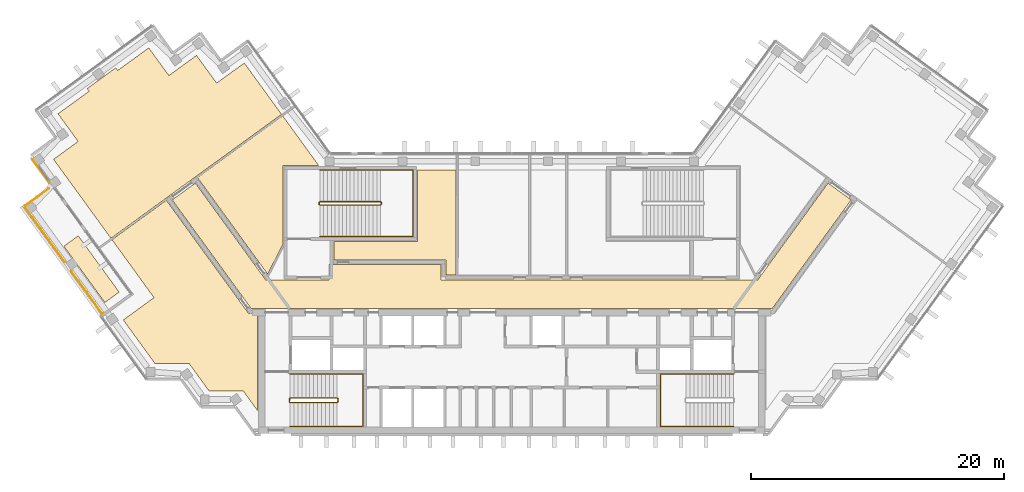
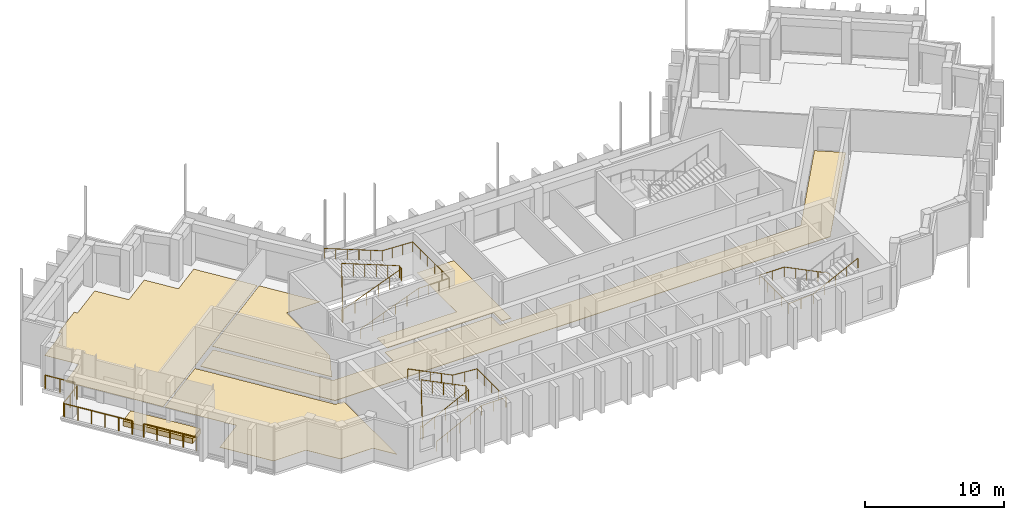
# One storey, part 13 of 14: 9 railings, 6 coverings.
"""IFC4 building model written with IfcOpenShell, lengths in metres."""

from ifc_helpers import new_model, si_unit, direction, frame, origin, origin_2d, place, context, subcontext, project, spatial, polyline, circle, outline, extrude, material, layer, layer_set, type_object, element, save


model = new_model("IFC4")

# Units and contexts
model_context = context("Model", 3, precision=1e-05, world=origin(), true_north=direction((0.0, 1.0)))
body_context = subcontext(model_context, "Body", "Model", "MODEL_VIEW")
ifc_project = project(units=[si_unit("LENGTHUNIT", "METRE"), si_unit("AREAUNIT", "SQUARE_METRE"), si_unit("VOLUMEUNIT", "CUBIC_METRE"), si_unit("PLANEANGLEUNIT", "RADIAN"), si_unit("MASSUNIT", "GRAM", prefix="KILO")], contexts=[model_context])

# Site, building, storey
site_placement = place(None, origin())
site = spatial("IfcSite", under=ifc_project, at=site_placement, CompositionType="ELEMENT")
building_placement = place(site_placement, origin())
building = spatial("IfcBuilding", under=site, at=building_placement, Name="Quipu Civic Tower", CompositionType="ELEMENT")
storey_placement = place(building_placement, frame((0.0, 0.0, 257.0)))
storey = spatial("IfcBuildingStorey", under=building, at=storey_placement, Name="L60", CompositionType="ELEMENT", Elevation=257.0)

# Coverings
ifc_material_1 = material(Name="Carpet tile on raised access floor")
ifc_layer_1 = layer(ifc_material_1, 0.02001953125)
ifc_layer_set_1 = layer_set([ifc_layer_1], Name="Carpet tile on raised access floor")
covering_type_1 = type_object("IfcCoveringType", Name="Carpet tile floor finish 20", PredefinedType="FLOORING", material=ifc_layer_set_1)
covering_1_placement = place(storey_placement, origin())
element("IfcCovering", 1, at=covering_1_placement, inside=storey, type_object=covering_type_1, Name="Carpet tile floor finish 20", PredefinedType="FLOORING", context=body_context, shape_type="SweptSolid", body=[
    extrude(outline(polyline([(-24.81201171875, 9.2109375), (-18.089111328125, 14.093994140625), (-15.238037109375, 10.169921875), (-18.070068359375, 10.1689453125), (-18.070068359375, 3.94189453125), (-19.27197265625, 1.583984375), (-24.81201171875, 9.2109375)])), origin(), (0.0, 0.0, 1.0), 0.02001953125),
])
covering_2_placement = place(storey_placement, origin())
element("IfcCovering", 2, at=covering_2_placement, inside=storey, type_object=covering_type_1, Name="Carpet tile floor finish 20", PredefinedType="FLOORING", context=body_context, shape_type="SweptSolid", body=[
    extrude(outline(polyline([(-36.181884765625, 10.653076171875), (-34.240966796875, 12.06396484375), (-35.826904296875, 14.248046875), (-33.3701171875, 16.032958984375), (-33.52197265625, 16.2451171875), (-31.27099609375, 17.8798828125), (-31.116943359375, 17.6708984375), (-28.658935546875, 19.455078125), (-27.073974609375, 17.27197265625), (-24.887939453125, 18.85791015625), (-23.301025390625, 16.675048828125), (-21.116943359375, 18.260986328125), (-18.172119140625, 14.20703125), (-31.65087890625, 4.416015625), (-36.181884765625, 10.653076171875)])), origin(), (0.0, 0.0, 1.0), 0.02001953125),
])
covering_3_placement = place(storey_placement, origin())
element("IfcCovering", 3, at=covering_3_placement, inside=storey, type_object=covering_type_1, Name="Carpet tile floor finish 20", PredefinedType="FLOORING", context=body_context, shape_type="SweptSolid", body=[
    extrude(outline(polyline([(-14.030029296875, 2.719970703125), (-14.030029296875, 4.179931640625), (-7.430908203125, 4.179931640625), (-7.429931640625, 9.830078125), (-4.388916015625, 9.830078125), (-4.388916015625, 1.52001953125), (-5.179931640625, 1.52001953125), (-5.181884765625, 2.719970703125), (-14.030029296875, 2.719970703125)])), origin(), (0.0, 0.0, 1.0), 0.02001953125),
])
covering_4_placement = place(storey_placement, origin())
element("IfcCovering", 4, at=covering_4_placement, inside=storey, type_object=covering_type_1, Name="Carpet tile floor finish 20", PredefinedType="FLOORING", context=body_context, shape_type="SweptSolid", body=[
    extrude(outline(polyline([(-31.568115234375, 4.302978515625), (-27.27197265625, 7.423095703125), (-20.77490234375, -1.51904296875), (-20.070068359375, -1.52001953125), (-20.070068359375, -9.195068359375), (-21.196044921875, -7.64599609375), (-23.89501953125, -7.64599609375), (-25.48193359375, -5.4619140625), (-28.181884765625, -5.4609375), (-30.674072265625, -2.031982421875), (-28.248046875, -0.26708984375), (-31.568115234375, 4.302978515625)])), origin(), (0.0, 0.0, 1.0), 0.02001953125),
])
ifc_material_2 = material(Name="Planting soil on drainage board")
ifc_layer_2 = layer(ifc_material_2, 0.449951171875)
ifc_layer_set_2 = layer_set([ifc_layer_2], Name="Planting soil on drainage board")
covering_type_2 = type_object("IfcCoveringType", Name="Planted terrace build-up", PredefinedType="FLOORING", material=ifc_layer_set_2)
covering_5_placement = place(storey_placement, origin())
element("IfcCovering", 5, at=covering_5_placement, inside=storey, type_object=covering_type_2, Name="Planted terrace L60 bed 1", PredefinedType="FLOORING", context=body_context, shape_type="SweptSolid", body=[
    extrude(outline(polyline([(-30.998779296875, 0.1669921875), (-32.13134765625, -0.656005859375), (-35.364013671875, 3.793212890625), (-34.231201171875, 4.6162109375), (-30.998779296875, 0.1669921875)])), origin(), (0.0, 0.0, 1.0), 0.449951171875),
])

# Railings
ifc_material_3 = material(Name="Stainless steel", Category="steel")
railing_type_1 = type_object("IfcRailingType", Name="Stair guard 1100", PredefinedType="GUARDRAIL", material=ifc_material_3)
railing_1_placement = place(storey_placement, frame((-17.5, -8.550048828125, 0.15380859375)))
element("IfcRailing", 6, at=railing_1_placement, inside=storey, type_object=railing_type_1, Name="Stair 1 guard", PredefinedType="GUARDRAIL", context=body_context, shape_type="SweptSolid", body=[
    extrude(circle(Radius=0.02392578125, at=origin_2d()), frame((0.0, 0.0, 1.076171875), z_axis=(0.895751851347, 0.0, 0.444554407028), x_axis=(0.0, 1.0, 0.0)), (0.0, 0.0, 1.0), 4.15283203125),
    extrude(circle(Radius=0.02392578125, at=origin_2d()), frame((3.719970703125, 0.0, 2.92236328125), z_axis=(0.707106781187, 0.707106781187, 0.0), x_axis=(-0.707106781187, 0.707106781187, 0.0)), (0.0, 0.0, 1.0), 0.07080078125),
    extrude(circle(Radius=0.02392578125, at=origin_2d()), frame((3.77001953125, 0.050048828125, 2.92236328125), z_axis=(0.0, 1.0, 0.0), x_axis=(-1.0, 0.0, 0.0)), (0.0, 0.0, 1.0), 0.25),
    extrude(circle(Radius=0.02392578125, at=origin_2d()), frame((3.77001953125, 0.300048828125, 2.92236328125), z_axis=(-0.295599637079, 0.295599637079, 0.908428152975), x_axis=(-0.707106781187, -0.707106781187, 0.0)), (0.0, 0.0, 1.0), 0.16943359375),
    extrude(circle(Radius=0.02392578125, at=origin_2d()), frame((3.719970703125, 0.35009765625, 3.076171875), z_axis=(-0.895751851347, 0.0, 0.444554407028), x_axis=(0.0, -1.0, 0.0)), (0.0, 0.0, 1.0), 4.15283203125),
    extrude(circle(Radius=0.02392578125, at=origin_2d()), frame((0.0, 0.35009765625, 4.92236328125), z_axis=(-0.012476181752, -0.074796231092, -0.997120789425), x_axis=(0.986372223864, -0.164529134168, 0.0)), (0.0, 0.0, 1.0), 4.011474609375),
    extrude(circle(Radius=0.02392578125, at=origin_2d()), frame((-0.050048828125, 0.050048828125, 0.92236328125), z_axis=(0.0, 1.0, 0.0), x_axis=(-1.0, 0.0, 0.0)), (0.0, 0.0, 1.0), 0.25),
    extrude(circle(Radius=0.02099609375, at=origin_2d()), origin(), (0.0, 0.0, 1.0), 1.052001953125),
    extrude(circle(Radius=0.02099609375, at=origin_2d()), frame((0.929931640625, 0.0, 0.46142578125)), (0.0, 0.0, 1.0), 1.052001953125),
    extrude(circle(Radius=0.02099609375, at=origin_2d()), frame((1.85986328125, 0.0, 0.923095703125)), (0.0, 0.0, 1.0), 1.052001953125),
    extrude(circle(Radius=0.02099609375, at=origin_2d()), frame((2.7900390625, 0.0, 1.384765625)), (0.0, 0.0, 1.0), 1.052001953125),
    extrude(circle(Radius=0.02099609375, at=origin_2d()), frame((3.719970703125, 0.0, 1.84619140625)), (0.0, 0.0, 1.0), 1.052001953125),
    extrude(circle(Radius=0.02099609375, at=origin_2d()), frame((3.77001953125, 0.050048828125, 1.84619140625)), (0.0, 0.0, 1.0), 1.052001953125),
    extrude(circle(Radius=0.02099609375, at=origin_2d()), frame((3.77001953125, 0.300048828125, 1.84619140625)), (0.0, 0.0, 1.0), 1.052001953125),
    extrude(circle(Radius=0.02099609375, at=origin_2d()), frame((3.719970703125, 0.35009765625, 2.0)), (0.0, 0.0, 1.0), 1.052001953125),
    extrude(circle(Radius=0.02099609375, at=origin_2d()), frame((2.7900390625, 0.35009765625, 2.46142578125)), (0.0, 0.0, 1.0), 1.052001953125),
    extrude(circle(Radius=0.02099609375, at=origin_2d()), frame((1.85986328125, 0.35009765625, 2.923095703125)), (0.0, 0.0, 1.0), 1.052001953125),
    extrude(circle(Radius=0.02099609375, at=origin_2d()), frame((0.929931640625, 0.35009765625, 3.384765625)), (0.0, 0.0, 1.0), 1.052001953125),
    extrude(circle(Radius=0.02099609375, at=origin_2d()), frame((0.0, 0.35009765625, 3.84619140625)), (0.0, 0.0, 1.0), 1.052001953125),
    extrude(circle(Radius=0.02099609375, at=origin_2d()), frame((-0.012451171875, 0.275146484375, 2.84619140625)), (0.0, 0.0, 1.0), 1.052001953125),
    extrude(circle(Radius=0.02099609375, at=origin_2d()), frame((-0.02490234375, 0.2001953125, 1.84619140625)), (0.0, 0.0, 1.0), 1.052001953125),
    extrude(circle(Radius=0.02099609375, at=origin_2d()), frame((-0.03759765625, 0.125, 0.84619140625)), (0.0, 0.0, 1.0), 1.052001953125),
    extrude(circle(Radius=0.02099609375, at=origin_2d()), frame((-0.050048828125, 0.050048828125, -0.15380859375)), (0.0, 0.0, 1.0), 1.052001953125),
    extrude(circle(Radius=0.02099609375, at=origin_2d()), frame((-0.050048828125, 0.300048828125, -0.15380859375)), (0.0, 0.0, 1.0), 1.052001953125),
])
railing_2_placement = place(storey_placement, frame((-15.14990234375, 7.050048828125, 0.11767578125)))
element("IfcRailing", 7, at=railing_2_placement, inside=storey, type_object=railing_type_1, Name="Stair 3 guard", PredefinedType="GUARDRAIL", context=body_context, shape_type="SweptSolid", body=[
    extrude(circle(Radius=0.02392578125, at=origin_2d()), frame((0.0, 0.0, 1.076171875), z_axis=(0.930970042603, 0.0, 0.365095576219), x_axis=(0.0, 1.0, 0.0)), (0.0, 0.0, 1.0), 5.15576171875),
    extrude(circle(Radius=0.02392578125, at=origin_2d()), frame((4.7998046875, 0.0, 2.95849609375), z_axis=(0.707106781187, 0.707106781187, 0.0), x_axis=(-0.707106781187, 0.707106781187, 0.0)), (0.0, 0.0, 1.0), 0.07080078125),
    extrude(circle(Radius=0.02392578125, at=origin_2d()), frame((4.849853515625, 0.050048828125, 2.95849609375), z_axis=(0.0, 1.0, 0.0), x_axis=(-1.0, 0.0, 0.0)), (0.0, 0.0, 1.0), 0.14990234375),
    extrude(circle(Radius=0.02392578125, at=origin_2d()), frame((4.849853515625, 0.199951171875, 2.95849609375), z_axis=(-0.364463019033, 0.364463019033, 0.856932561824), x_axis=(-0.707106781187, -0.707106781187, 0.0)), (0.0, 0.0, 1.0), 0.13720703125),
    extrude(circle(Radius=0.02392578125, at=origin_2d()), frame((4.7998046875, 0.25, 3.076171875), z_axis=(-0.930970042603, 0.0, 0.365095576219), x_axis=(0.0, -1.0, 0.0)), (0.0, 0.0, 1.0), 5.15576171875),
    extrude(circle(Radius=0.02392578125, at=origin_2d()), frame((0.0, 0.25, 4.95849609375), z_axis=(-0.012495627992, -0.049921557685, -0.998674970829), x_axis=(0.970072785993, -0.242814311512, 0.0)), (0.0, 0.0, 1.0), 4.00537109375),
    extrude(circle(Radius=0.02392578125, at=origin_2d()), frame((-0.050048828125, 0.050048828125, 0.95849609375), z_axis=(0.0, 1.0, 0.0), x_axis=(-1.0, 0.0, 0.0)), (0.0, 0.0, 1.0), 0.14990234375),
    extrude(circle(Radius=0.02099609375, at=origin_2d()), origin(), (0.0, 0.0, 1.0), 1.052001953125),
    extrude(circle(Radius=0.02099609375, at=origin_2d()), frame((0.9599609375, 0.0, 0.37646484375)), (0.0, 0.0, 1.0), 1.052001953125),
    extrude(circle(Radius=0.02099609375, at=origin_2d()), frame((1.919921875, 0.0, 0.7529296875)), (0.0, 0.0, 1.0), 1.052001953125),
    extrude(circle(Radius=0.02099609375, at=origin_2d()), frame((2.8798828125, 0.0, 1.12939453125)), (0.0, 0.0, 1.0), 1.052001953125),
    extrude(circle(Radius=0.02099609375, at=origin_2d()), frame((3.83984375, 0.0, 1.505859375)), (0.0, 0.0, 1.0), 1.052001953125),
    extrude(circle(Radius=0.02099609375, at=origin_2d()), frame((4.7998046875, 0.0, 1.88232421875)), (0.0, 0.0, 1.0), 1.052001953125),
    extrude(circle(Radius=0.02099609375, at=origin_2d()), frame((4.849853515625, 0.050048828125, 1.88232421875)), (0.0, 0.0, 1.0), 1.052001953125),
    extrude(circle(Radius=0.02099609375, at=origin_2d()), frame((4.849853515625, 0.199951171875, 1.88232421875)), (0.0, 0.0, 1.0), 1.052001953125),
    extrude(circle(Radius=0.02099609375, at=origin_2d()), frame((4.7998046875, 0.25, 2.0)), (0.0, 0.0, 1.0), 1.052001953125),
    extrude(circle(Radius=0.02099609375, at=origin_2d()), frame((3.83984375, 0.25, 2.37646484375)), (0.0, 0.0, 1.0), 1.052001953125),
    extrude(circle(Radius=0.02099609375, at=origin_2d()), frame((2.8798828125, 0.25, 2.7529296875)), (0.0, 0.0, 1.0), 1.052001953125),
    extrude(circle(Radius=0.02099609375, at=origin_2d()), frame((1.919921875, 0.25, 3.12939453125)), (0.0, 0.0, 1.0), 1.052001953125),
    extrude(circle(Radius=0.02099609375, at=origin_2d()), frame((0.9599609375, 0.25, 3.505859375)), (0.0, 0.0, 1.0), 1.052001953125),
    extrude(circle(Radius=0.02099609375, at=origin_2d()), frame((0.0, 0.25, 3.88232421875)), (0.0, 0.0, 1.0), 1.052001953125),
    extrude(circle(Radius=0.02099609375, at=origin_2d()), frame((-0.012451171875, 0.199951171875, 2.88232421875)), (0.0, 0.0, 1.0), 1.052001953125),
    extrude(circle(Radius=0.02099609375, at=origin_2d()), frame((-0.02490234375, 0.14990234375, 1.88232421875)), (0.0, 0.0, 1.0), 1.052001953125),
    extrude(circle(Radius=0.02099609375, at=origin_2d()), frame((-0.03759765625, 0.10009765625, 0.88232421875)), (0.0, 0.0, 1.0), 1.052001953125),
    extrude(circle(Radius=0.02099609375, at=origin_2d()), frame((-0.050048828125, 0.050048828125, -0.11767578125)), (0.0, 0.0, 1.0), 1.052001953125),
    extrude(circle(Radius=0.02099609375, at=origin_2d()), frame((-0.050048828125, 0.199951171875, -0.11767578125)), (0.0, 0.0, 1.0), 1.052001953125),
])
ifc_material_4 = material(Name="Stainless steel", Category="steel")
railing_type_2 = type_object("IfcRailingType", Name="Stair handrail", PredefinedType="HANDRAIL", material=ifc_material_4)
railing_3_placement = place(storey_placement, frame((-17.5, -10.449951171875, 0.15380859375)))
element("IfcRailing", 8, at=railing_3_placement, inside=storey, type_object=railing_type_2, Name="Stair 1 handrail", PredefinedType="HANDRAIL", context=body_context, shape_type="SweptSolid", body=[
    extrude(circle(Radius=0.02392578125, at=origin_2d()), frame((0.0, 0.0, 0.8759765625), z_axis=(0.895751851347, 0.0, 0.444554407028), x_axis=(0.0, 1.0, 0.0)), (0.0, 0.0, 1.0), 4.15283203125),
    extrude(circle(Radius=0.02392578125, at=origin_2d()), frame((3.719970703125, 0.0, 2.72216796875), z_axis=(1.0, 0.0, 0.0), x_axis=(0.0, 1.0, 0.0)), (0.0, 0.0, 1.0), 2.030029296875),
    extrude(circle(Radius=0.02392578125, at=origin_2d()), frame((5.75, 0.0, 2.72216796875), z_axis=(0.0, 1.0, 0.0), x_axis=(-1.0, 0.0, 0.0)), (0.0, 0.0, 1.0), 4.14990234375),
    extrude(circle(Radius=0.02392578125, at=origin_2d()), frame((5.75, 4.14990234375, 2.72216796875), z_axis=(-0.997142003663, 0.0, 0.075550145798), x_axis=(0.0, -1.0, 0.0)), (0.0, 0.0, 1.0), 2.035888671875),
    extrude(circle(Radius=0.02392578125, at=origin_2d()), frame((3.719970703125, 4.14990234375, 2.8759765625), z_axis=(-0.895751851347, 0.0, 0.444554407028), x_axis=(0.0, -1.0, 0.0)), (0.0, 0.0, 1.0), 4.15283203125),
    extrude(circle(Radius=0.02099609375, at=origin_2d()), origin(), (0.0, 0.0, 1.0), 0.851806640625),
    extrude(circle(Radius=0.02099609375, at=origin_2d()), frame((0.929931640625, 0.0, 0.46142578125)), (0.0, 0.0, 1.0), 0.851806640625),
    extrude(circle(Radius=0.02099609375, at=origin_2d()), frame((1.85986328125, 0.0, 0.923095703125)), (0.0, 0.0, 1.0), 0.851806640625),
    extrude(circle(Radius=0.02099609375, at=origin_2d()), frame((2.7900390625, 0.0, 1.384765625)), (0.0, 0.0, 1.0), 0.851806640625),
    extrude(circle(Radius=0.02099609375, at=origin_2d()), frame((3.719970703125, 0.0, 1.84619140625)), (0.0, 0.0, 1.0), 0.851806640625),
    extrude(circle(Radius=0.02099609375, at=origin_2d()), frame((4.73486328125, 0.0, 1.84619140625)), (0.0, 0.0, 1.0), 0.851806640625),
    extrude(circle(Radius=0.02099609375, at=origin_2d()), frame((5.75, 0.0, 1.84619140625)), (0.0, 0.0, 1.0), 0.851806640625),
    extrude(circle(Radius=0.02099609375, at=origin_2d()), frame((5.75, 1.03759765625, 1.84619140625)), (0.0, 0.0, 1.0), 0.851806640625),
    extrude(circle(Radius=0.02099609375, at=origin_2d()), frame((5.75, 2.074951171875, 1.84619140625)), (0.0, 0.0, 1.0), 0.851806640625),
    extrude(circle(Radius=0.02099609375, at=origin_2d()), frame((5.75, 3.1123046875, 1.84619140625)), (0.0, 0.0, 1.0), 0.851806640625),
    extrude(circle(Radius=0.02099609375, at=origin_2d()), frame((5.75, 4.14990234375, 1.84619140625)), (0.0, 0.0, 1.0), 0.851806640625),
    extrude(circle(Radius=0.02099609375, at=origin_2d()), frame((4.73486328125, 4.14990234375, 1.923095703125)), (0.0, 0.0, 1.0), 0.851806640625),
    extrude(circle(Radius=0.02099609375, at=origin_2d()), frame((3.719970703125, 4.14990234375, 2.0)), (0.0, 0.0, 1.0), 0.851806640625),
    extrude(circle(Radius=0.02099609375, at=origin_2d()), frame((2.7900390625, 4.14990234375, 2.46142578125)), (0.0, 0.0, 1.0), 0.851806640625),
    extrude(circle(Radius=0.02099609375, at=origin_2d()), frame((1.85986328125, 4.14990234375, 2.923095703125)), (0.0, 0.0, 1.0), 0.851806640625),
    extrude(circle(Radius=0.02099609375, at=origin_2d()), frame((0.929931640625, 4.14990234375, 3.384765625)), (0.0, 0.0, 1.0), 0.851806640625),
    extrude(circle(Radius=0.02099609375, at=origin_2d()), frame((0.0, 4.14990234375, 3.84619140625)), (0.0, 0.0, 1.0), 0.851806640625),
])
railing_4_placement = place(storey_placement, frame((17.5, -6.300048828125, 0.15380859375)))
element("IfcRailing", 9, at=railing_4_placement, inside=storey, type_object=railing_type_2, Name="Stair 2 handrail", PredefinedType="HANDRAIL", context=body_context, shape_type="SweptSolid", body=[
    extrude(circle(Radius=0.02392578125, at=origin_2d()), frame((0.0, 0.0, 0.8759765625), z_axis=(-0.895751851347, 0.0, 0.444554407028), x_axis=(0.0, -1.0, 0.0)), (0.0, 0.0, 1.0), 4.15283203125),
    extrude(circle(Radius=0.02392578125, at=origin_2d()), frame((-3.719970703125, 0.0, 2.72216796875), z_axis=(-1.0, 0.0, 0.0), x_axis=(0.0, -1.0, 0.0)), (0.0, 0.0, 1.0), 2.030029296875),
    extrude(circle(Radius=0.02392578125, at=origin_2d()), frame((-5.75, 0.0, 2.72216796875), z_axis=(0.0, -1.0, 0.0), x_axis=(1.0, 0.0, 0.0)), (0.0, 0.0, 1.0), 4.14990234375),
    extrude(circle(Radius=0.02392578125, at=origin_2d()), frame((-5.75, -4.14990234375, 2.72216796875), z_axis=(0.997142003663, 0.0, 0.075550145798), x_axis=(0.0, 1.0, 0.0)), (0.0, 0.0, 1.0), 2.035888671875),
    extrude(circle(Radius=0.02392578125, at=origin_2d()), frame((-3.719970703125, -4.14990234375, 2.8759765625), z_axis=(0.895751851347, 0.0, 0.444554407028), x_axis=(0.0, 1.0, 0.0)), (0.0, 0.0, 1.0), 4.15283203125),
    extrude(circle(Radius=0.02099609375, at=origin_2d()), origin(), (0.0, 0.0, 1.0), 0.851806640625),
    extrude(circle(Radius=0.02099609375, at=origin_2d()), frame((-0.929931640625, 0.0, 0.46142578125)), (0.0, 0.0, 1.0), 0.851806640625),
    extrude(circle(Radius=0.02099609375, at=origin_2d()), frame((-1.85986328125, 0.0, 0.923095703125)), (0.0, 0.0, 1.0), 0.851806640625),
    extrude(circle(Radius=0.02099609375, at=origin_2d()), frame((-2.7900390625, 0.0, 1.384765625)), (0.0, 0.0, 1.0), 0.851806640625),
    extrude(circle(Radius=0.02099609375, at=origin_2d()), frame((-3.719970703125, 0.0, 1.84619140625)), (0.0, 0.0, 1.0), 0.851806640625),
    extrude(circle(Radius=0.02099609375, at=origin_2d()), frame((-4.73486328125, 0.0, 1.84619140625)), (0.0, 0.0, 1.0), 0.851806640625),
    extrude(circle(Radius=0.02099609375, at=origin_2d()), frame((-5.75, 0.0, 1.84619140625)), (0.0, 0.0, 1.0), 0.851806640625),
    extrude(circle(Radius=0.02099609375, at=origin_2d()), frame((-5.75, -1.03759765625, 1.84619140625)), (0.0, 0.0, 1.0), 0.851806640625),
    extrude(circle(Radius=0.02099609375, at=origin_2d()), frame((-5.75, -2.074951171875, 1.84619140625)), (0.0, 0.0, 1.0), 0.851806640625),
    extrude(circle(Radius=0.02099609375, at=origin_2d()), frame((-5.75, -3.1123046875, 1.84619140625)), (0.0, 0.0, 1.0), 0.851806640625),
    extrude(circle(Radius=0.02099609375, at=origin_2d()), frame((-5.75, -4.14990234375, 1.84619140625)), (0.0, 0.0, 1.0), 0.851806640625),
    extrude(circle(Radius=0.02099609375, at=origin_2d()), frame((-4.73486328125, -4.14990234375, 1.923095703125)), (0.0, 0.0, 1.0), 0.851806640625),
    extrude(circle(Radius=0.02099609375, at=origin_2d()), frame((-3.719970703125, -4.14990234375, 2.0)), (0.0, 0.0, 1.0), 0.851806640625),
    extrude(circle(Radius=0.02099609375, at=origin_2d()), frame((-2.7900390625, -4.14990234375, 2.46142578125)), (0.0, 0.0, 1.0), 0.851806640625),
    extrude(circle(Radius=0.02099609375, at=origin_2d()), frame((-1.85986328125, -4.14990234375, 2.923095703125)), (0.0, 0.0, 1.0), 0.851806640625),
    extrude(circle(Radius=0.02099609375, at=origin_2d()), frame((-0.929931640625, -4.14990234375, 3.384765625)), (0.0, 0.0, 1.0), 0.851806640625),
    extrude(circle(Radius=0.02099609375, at=origin_2d()), frame((0.0, -4.14990234375, 3.84619140625)), (0.0, 0.0, 1.0), 0.851806640625),
])
railing_5_placement = place(storey_placement, frame((-15.14990234375, 4.550048828125, 0.11767578125)))
element("IfcRailing", 10, at=railing_5_placement, inside=storey, type_object=railing_type_2, Name="Stair 3 handrail", PredefinedType="HANDRAIL", context=body_context, shape_type="SweptSolid", body=[
    extrude(circle(Radius=0.02392578125, at=origin_2d()), frame((0.0, 0.0, 0.8759765625), z_axis=(0.930970042603, 0.0, 0.365095576219), x_axis=(0.0, 1.0, 0.0)), (0.0, 0.0, 1.0), 5.15576171875),
    extrude(circle(Radius=0.02392578125, at=origin_2d()), frame((4.7998046875, 0.0, 2.75830078125), z_axis=(1.0, 0.0, 0.0), x_axis=(0.0, 1.0, 0.0)), (0.0, 0.0, 1.0), 2.550048828125),
    extrude(circle(Radius=0.02392578125, at=origin_2d()), frame((7.349853515625, 0.0, 2.75830078125), z_axis=(0.0, 1.0, 0.0), x_axis=(-1.0, 0.0, 0.0)), (0.0, 0.0, 1.0), 5.25),
    extrude(circle(Radius=0.02392578125, at=origin_2d()), frame((7.349853515625, 5.25, 2.75830078125), z_axis=(-0.998936948642, 0.0, 0.04609742549), x_axis=(0.0, -1.0, 0.0)), (0.0, 0.0, 1.0), 2.552734375),
    extrude(circle(Radius=0.02392578125, at=origin_2d()), frame((4.7998046875, 5.25, 2.8759765625), z_axis=(-0.930970042603, 0.0, 0.365095576219), x_axis=(0.0, -1.0, 0.0)), (0.0, 0.0, 1.0), 5.15576171875),
    extrude(circle(Radius=0.02099609375, at=origin_2d()), origin(), (0.0, 0.0, 1.0), 0.851806640625),
    extrude(circle(Radius=0.02099609375, at=origin_2d()), frame((0.9599609375, 0.0, 0.37646484375)), (0.0, 0.0, 1.0), 0.851806640625),
    extrude(circle(Radius=0.02099609375, at=origin_2d()), frame((1.919921875, 0.0, 0.7529296875)), (0.0, 0.0, 1.0), 0.851806640625),
    extrude(circle(Radius=0.02099609375, at=origin_2d()), frame((2.8798828125, 0.0, 1.12939453125)), (0.0, 0.0, 1.0), 0.851806640625),
    extrude(circle(Radius=0.02099609375, at=origin_2d()), frame((3.83984375, 0.0, 1.505859375)), (0.0, 0.0, 1.0), 0.851806640625),
    extrude(circle(Radius=0.02099609375, at=origin_2d()), frame((4.7998046875, 0.0, 1.88232421875)), (0.0, 0.0, 1.0), 0.851806640625),
    extrude(circle(Radius=0.02099609375, at=origin_2d()), frame((5.64990234375, 0.0, 1.88232421875)), (0.0, 0.0, 1.0), 0.851806640625),
    extrude(circle(Radius=0.02099609375, at=origin_2d()), frame((6.499755859375, 0.0, 1.88232421875)), (0.0, 0.0, 1.0), 0.851806640625),
    extrude(circle(Radius=0.02099609375, at=origin_2d()), frame((7.349853515625, 0.0, 1.88232421875)), (0.0, 0.0, 1.0), 0.851806640625),
    extrude(circle(Radius=0.02099609375, at=origin_2d()), frame((7.349853515625, 1.050048828125, 1.88232421875)), (0.0, 0.0, 1.0), 0.851806640625),
    extrude(circle(Radius=0.02099609375, at=origin_2d()), frame((7.349853515625, 2.10009765625, 1.88232421875)), (0.0, 0.0, 1.0), 0.851806640625),
    extrude(circle(Radius=0.02099609375, at=origin_2d()), frame((7.349853515625, 3.14990234375, 1.88232421875)), (0.0, 0.0, 1.0), 0.851806640625),
    extrude(circle(Radius=0.02099609375, at=origin_2d()), frame((7.349853515625, 4.199951171875, 1.88232421875)), (0.0, 0.0, 1.0), 0.851806640625),
    extrude(circle(Radius=0.02099609375, at=origin_2d()), frame((7.349853515625, 5.25, 1.88232421875)), (0.0, 0.0, 1.0), 0.851806640625),
    extrude(circle(Radius=0.02099609375, at=origin_2d()), frame((6.499755859375, 5.25, 1.921630859375)), (0.0, 0.0, 1.0), 0.851806640625),
    extrude(circle(Radius=0.02099609375, at=origin_2d()), frame((5.64990234375, 5.25, 1.960693359375)), (0.0, 0.0, 1.0), 0.851806640625),
    extrude(circle(Radius=0.02099609375, at=origin_2d()), frame((4.7998046875, 5.25, 2.0)), (0.0, 0.0, 1.0), 0.851806640625),
    extrude(circle(Radius=0.02099609375, at=origin_2d()), frame((3.83984375, 5.25, 2.37646484375)), (0.0, 0.0, 1.0), 0.851806640625),
    extrude(circle(Radius=0.02099609375, at=origin_2d()), frame((2.8798828125, 5.25, 2.7529296875)), (0.0, 0.0, 1.0), 0.851806640625),
    extrude(circle(Radius=0.02099609375, at=origin_2d()), frame((1.919921875, 5.25, 3.12939453125)), (0.0, 0.0, 1.0), 0.851806640625),
    extrude(circle(Radius=0.02099609375, at=origin_2d()), frame((0.9599609375, 5.25, 3.505859375)), (0.0, 0.0, 1.0), 0.851806640625),
    extrude(circle(Radius=0.02099609375, at=origin_2d()), frame((0.0, 5.25, 3.88232421875)), (0.0, 0.0, 1.0), 0.851806640625),
])
ifc_material_5 = material(Name="Steel S275", Category="steel")
railing_type_3 = type_object("IfcRailingType", Name="Terrace guard G1", PredefinedType="GUARDRAIL", material=ifc_material_5)
railing_6_placement = place(storey_placement, frame((-37.844482421875, 10.64404296875, 0.0)))
element("IfcRailing", 11, at=railing_6_placement, inside=storey, type_object=railing_type_3, Name="Terrace guard L60.1", PredefinedType="GUARDRAIL", context=body_context, shape_type="SweptSolid", body=[
    extrude(circle(Radius=0.02490234375, at=origin_2d()), frame((0.0, 0.0, 1.1748046875), z_axis=(0.587786599794, -0.809016015356, 0.0), x_axis=(0.809016015356, 0.587786599794, 0.0)), (0.0, 0.0, 1.0), 2.2998046875),
    extrude(circle(Radius=0.02490234375, at=origin_2d()), origin(), (0.0, 0.0, 1.0), 1.14990234375),
    extrude(circle(Radius=0.02490234375, at=origin_2d()), frame((0.67578125, -0.93017578125, 0.0)), (0.0, 0.0, 1.0), 1.14990234375),
    extrude(circle(Radius=0.02490234375, at=origin_2d()), frame((1.351806640625, -1.860595703125, 0.0)), (0.0, 0.0, 1.0), 1.14990234375),
])
railing_7_placement = place(storey_placement, frame((-36.5634765625, 8.33642578125, 0.0)))
element("IfcRailing", 12, at=railing_7_placement, inside=storey, type_object=railing_type_3, Name="Terrace guard L60.2", PredefinedType="GUARDRAIL", context=body_context, shape_type="SweptSolid", body=[
    extrude(circle(Radius=0.02490234375, at=origin_2d()), frame((0.0, 0.0, 1.1748046875), z_axis=(-0.808965535219, -0.587856073225, 0.0), x_axis=(0.587856073225, -0.808965535219, 0.0)), (0.0, 0.0, 1.0), 2.300048828125),
    extrude(circle(Radius=0.02490234375, at=origin_2d()), origin(), (0.0, 0.0, 1.0), 1.14990234375),
    extrude(circle(Radius=0.02490234375, at=origin_2d()), frame((-0.93017578125, -0.676025390625, 0.0)), (0.0, 0.0, 1.0), 1.14990234375),
    extrude(circle(Radius=0.02490234375, at=origin_2d()), frame((-1.860595703125, -1.35205078125, 0.0)), (0.0, 0.0, 1.0), 1.14990234375),
])
railing_8_placement = place(storey_placement, frame((-38.441650390625, 6.872802734375, 0.0)))
element("IfcRailing", 13, at=railing_8_placement, inside=storey, type_object=railing_type_3, Name="Terrace guard L60.3", PredefinedType="GUARDRAIL", context=body_context, shape_type="SweptSolid", body=[
    extrude(circle(Radius=0.02490234375, at=origin_2d()), frame((0.0, 0.0, 1.1748046875), z_axis=(0.587762255175, -0.809033702259, 0.0), x_axis=(0.809033702259, 0.587762255175, 0.0)), (0.0, 0.0, 1.0), 5.3544921875),
    extrude(circle(Radius=0.02490234375, at=origin_2d()), origin(), (0.0, 0.0, 1.0), 1.14990234375),
    extrude(circle(Radius=0.02490234375, at=origin_2d()), frame((0.62939453125, -0.866455078125, 0.0)), (0.0, 0.0, 1.0), 1.14990234375),
    extrude(circle(Radius=0.02490234375, at=origin_2d()), frame((1.2587890625, -1.73291015625, 0.0)), (0.0, 0.0, 1.0), 1.14990234375),
    extrude(circle(Radius=0.02490234375, at=origin_2d()), frame((1.888427734375, -2.59912109375, 0.0)), (0.0, 0.0, 1.0), 1.14990234375),
    extrude(circle(Radius=0.02490234375, at=origin_2d()), frame((2.517822265625, -3.465576171875, 0.0)), (0.0, 0.0, 1.0), 1.14990234375),
    extrude(circle(Radius=0.02490234375, at=origin_2d()), frame((3.147216796875, -4.33203125, 0.0)), (0.0, 0.0, 1.0), 1.14990234375),
])
railing_9_placement = place(storey_placement, frame((-34.765380859375, 1.8125, 0.0)))
element("IfcRailing", 14, at=railing_9_placement, inside=storey, type_object=railing_type_3, Name="Terrace guard L60.4", PredefinedType="GUARDRAIL", context=body_context, shape_type="SweptSolid", body=[
    extrude(circle(Radius=0.02490234375, at=origin_2d()), frame((0.0, 0.0, 1.1748046875), z_axis=(0.587793418234, -0.809011061408, 0.0), x_axis=(0.809011061408, 0.587793418234, 0.0)), (0.0, 0.0, 1.0), 4.145263671875),
    extrude(circle(Radius=0.02490234375, at=origin_2d()), origin(), (0.0, 0.0, 1.0), 1.14990234375),
    extrude(circle(Radius=0.02490234375, at=origin_2d()), frame((0.609130859375, -0.83837890625, 0.0)), (0.0, 0.0, 1.0), 1.14990234375),
    extrude(circle(Radius=0.02490234375, at=origin_2d()), frame((1.21826171875, -1.6767578125, 0.0)), (0.0, 0.0, 1.0), 1.14990234375),
    extrude(circle(Radius=0.02490234375, at=origin_2d()), frame((1.827392578125, -2.51513671875, 0.0)), (0.0, 0.0, 1.0), 1.14990234375),
    extrude(circle(Radius=0.02490234375, at=origin_2d()), frame((2.4365234375, -3.353515625, 0.0)), (0.0, 0.0, 1.0), 1.14990234375),
])

# Covering
ifc_material_6 = material(Name="Terrazzo floor finish")
ifc_layer_3 = layer(ifc_material_6, 0.0400390625)
ifc_layer_set_3 = layer_set([ifc_layer_3], Name="Terrazzo floor finish")
covering_type_3 = type_object("IfcCoveringType", Name="Terrazzo floor finish 40", PredefinedType="FLOORING", material=ifc_layer_set_3)
covering_6_placement = place(storey_placement, origin())
element("IfcCovering", 15, at=covering_6_placement, inside=storey, type_object=covering_type_3, Name="Terrazzo floor finish 40", PredefinedType="FLOORING", context=body_context, shape_type="SweptSolid", body=[
    extrude(outline(polyline([(19.425048828125, 1.1298828125), (24.98095703125, 8.778076171875), (26.80908203125, 7.450927734375), (20.574951171875, -1.1298828125), (-20.574951171875, -1.1298828125), (-26.80908203125, 7.450927734375), (-24.98095703125, 8.778076171875), (-19.425048828125, 1.1298828125), (-14.429931640625, 1.1298828125), (-14.429931640625, 2.330078125), (-5.570068359375, 2.330078125), (-5.570068359375, 1.1298828125), (19.425048828125, 1.1298828125)])), origin(), (0.0, 0.0, 1.0), 0.0400390625),
])

save(model, "model.ifc")
